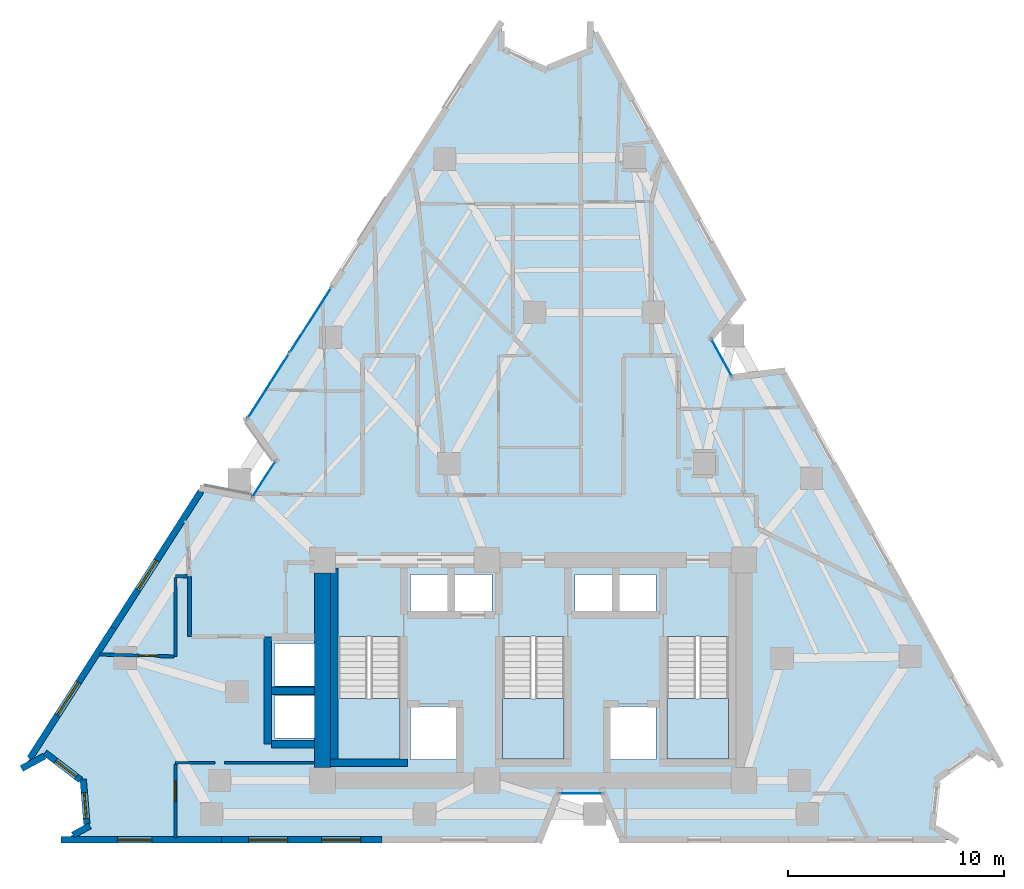
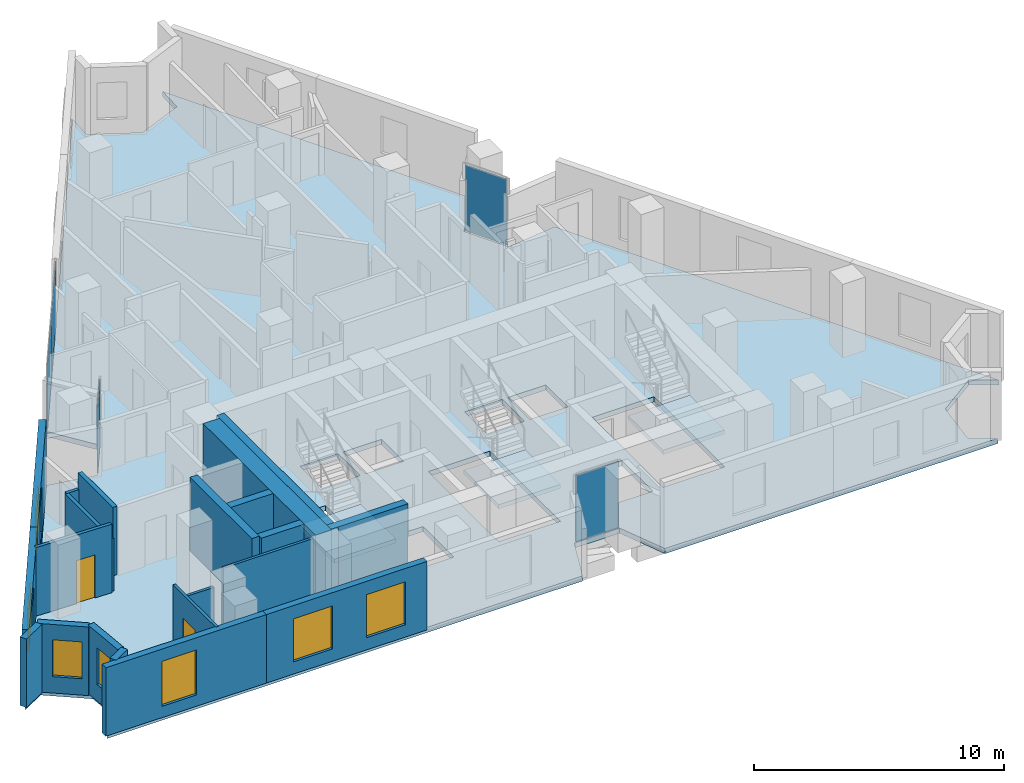
# One storey, part 5 of 11: 21 walls, 7 windows, 5 plates, 4 slabs, 2 doors, 9 openings, 7 elements without a shape of their own.
"""IFC4 building model written with IfcOpenShell, lengths in metres."""

import ifcopenshell
import ifcopenshell.guid

model = None  # the IFC model being written
_history = None  # IfcOwnerHistory: only IFC2X3 demands one
_inside = {}  # id of a spatial element -> (the spatial element, [elements in it])
_under = {}  # id of a project, library or spatial element -> (it, [spatial elements below it])
_declared = {}  # id of a project -> (the project, [libraries it declares])
_typed = {}  # id of a type object -> (the type object, [elements of that type])
_made_of = {}  # id of a material, layer set ... -> (it, [elements and type objects made of it])


def new_model(schema):
    """Start an empty IFC model of exactly this schema.

    Asked for "IFC4X3", IfcOpenShell would pick the latest addendum, in which some entities
    have other attributes; the version numbers below select the first issue.
    IFC2X3 requires an IfcOwnerHistory on every rooted entity: one is made here for all.
    """
    global model, _history
    if schema == "IFC4X3":
        model = ifcopenshell.file(schema_version=(4, 3, 0, 0))
    else:
        model = ifcopenshell.file(schema=schema)
    _inside.clear()
    _under.clear()
    _declared.clear()
    _typed.clear()
    _made_of.clear()
    _history = None
    if model.schema == "IFC2X3":
        org = make("IfcOrganization", Name="unknown")
        user = make(
            "IfcPersonAndOrganization",
            ThePerson=make("IfcPerson", FamilyName="unknown"),
            TheOrganization=org,
        )
        app = make(
            "IfcApplication",
            ApplicationDeveloper=org,
            Version="unknown",
            ApplicationFullName="unknown",
            ApplicationIdentifier="unknown",
        )
        _history = make(
            "IfcOwnerHistory",
            OwningUser=user,
            OwningApplication=app,
            ChangeAction="ADDED",
            CreationDate=0,
        )
    return model


def make(cls, **values):
    """One entity of the class cls with the attributes given. An attribute that is None is left unset."""
    return model.create_entity(
        cls, **{name: value for name, value in values.items() if value is not None}
    )


def rooted(cls, **values):
    """An entity with a GlobalId (a new one), such as an element, a storey or a relation."""
    return make(cls, GlobalId=ifcopenshell.guid.new(), OwnerHistory=_history, **values)


def si_unit(unit_type, name, prefix=None):
    """IfcSIUnit, for example si_unit("LENGTHUNIT", "METRE", prefix="MILLI")."""
    return make("IfcSIUnit", UnitType=unit_type, Prefix=prefix, Name=name)


def assignment(units):
    """IfcUnitAssignment: the units of a project."""
    return None if units is None else make("IfcUnitAssignment", Units=units)


def point(xyz):
    """IfcCartesianPoint."""
    return None if xyz is None else make("IfcCartesianPoint", Coordinates=xyz)


def direction(xyz):
    """IfcDirection."""
    return None if xyz is None else make("IfcDirection", DirectionRatios=xyz)


def frame(location, z_axis=None, x_axis=None):
    """IfcAxis2Placement3D, a coordinate frame: its origin and axes. An axis left out is left unset."""
    return make(
        "IfcAxis2Placement3D",
        Location=point(location),
        Axis=direction(z_axis),
        RefDirection=direction(x_axis),
    )


def frame_2d(location, x_axis=None):
    """IfcAxis2Placement2D, a coordinate frame in the plane: its origin and x axis."""
    return make(
        "IfcAxis2Placement2D", Location=point(location), RefDirection=direction(x_axis)
    )


def origin():
    """The frame at (0, 0, 0) with its axes left unset."""
    return frame((0.0, 0.0, 0.0))


def origin_2d():
    """The frame at (0, 0) in the plane with its x axis left unset."""
    return frame_2d((0.0, 0.0))


def place(relative_to, where):
    """IfcLocalPlacement: puts the frame where relative to a parent placement (None: the world)."""
    return make(
        "IfcLocalPlacement", PlacementRelTo=relative_to, RelativePlacement=where
    )


def context(
    kind, dimensions, precision=None, world=None, true_north=None, identifier=None
):
    """IfcGeometricRepresentationContext, for example the 3D "Model" context."""
    return make(
        "IfcGeometricRepresentationContext",
        ContextIdentifier=identifier,
        ContextType=kind,
        CoordinateSpaceDimension=dimensions,
        Precision=precision,
        WorldCoordinateSystem=world,
        TrueNorth=true_north,
    )


def subcontext(parent, identifier, kind, view, scale=None):
    """IfcGeometricRepresentationSubContext, for example "Body" below "Model"."""
    return make(
        "IfcGeometricRepresentationSubContext",
        ContextIdentifier=identifier,
        ContextType=kind,
        ParentContext=parent,
        TargetScale=scale,
        TargetView=view,
    )


def project(units=None, contexts=None):
    """IfcProject with its units and contexts."""
    return rooted(
        "IfcProject",
        Name="project",
        RepresentationContexts=contexts,
        UnitsInContext=assignment(units),
    )


def spatial(cls, under=None, at=None, **own):
    """A site, building, storey or space (cls), placed at a placement, below another one or the project."""
    s = rooted(cls, ObjectPlacement=at, **own)
    if under is not None:
        _under.setdefault(under.id(), (under, []))[1].append(s)
    return s


def polyline(points):
    """IfcPolyline through the points."""
    return make("IfcPolyline", Points=[point(p) for p in points])


def profile(cls, at=None, kind="AREA", **sizes):
    """A parametric profile (cls). Its sizes go by their IFC names, for example OverallWidth=200.0."""
    return make(cls, ProfileType=kind, Position=at, **sizes)


def rectangle(**sizes):
    """IfcRectangleProfileDef."""
    return profile("IfcRectangleProfileDef", **sizes)


def outline(outer, holes=None, kind="AREA"):
    """IfcArbitraryClosedProfileDef: a profile drawn as a closed curve; with holes, ...WithVoids."""
    if holes is None:
        return make("IfcArbitraryClosedProfileDef", ProfileType=kind, OuterCurve=outer)
    return make(
        "IfcArbitraryProfileDefWithVoids",
        ProfileType=kind,
        OuterCurve=outer,
        InnerCurves=holes,
    )


def extrude(swept, where, along, depth):
    """IfcExtrudedAreaSolid: the profile swept, set in the frame where, extruded along a direction by depth."""
    return make(
        "IfcExtrudedAreaSolid",
        SweptArea=swept,
        Position=where,
        ExtrudedDirection=direction(along),
        Depth=depth,
    )


def shape(context_of_items, identifier, shape_type, items):
    """IfcShapeRepresentation: the items that make up one representation, for example the "Body"."""
    return make(
        "IfcShapeRepresentation",
        ContextOfItems=context_of_items,
        RepresentationIdentifier=identifier,
        RepresentationType=shape_type,
        Items=items,
    )


def material(Name=None, Category=None):
    """IfcMaterial."""
    return make("IfcMaterial", Name=Name, Category=Category)


def layer(
    of_material, thickness, ventilated=None, Name=None, Category=None, Priority=None
):
    """IfcMaterialLayer: one layer of a wall or slab, of a material (None: an air gap)."""
    return make(
        "IfcMaterialLayer",
        Material=of_material,
        LayerThickness=thickness,
        IsVentilated=ventilated,
        Name=Name,
        Category=Category,
        Priority=Priority,
    )


def layer_set(layers, Name=None):
    """IfcMaterialLayerSet."""
    return make("IfcMaterialLayerSet", MaterialLayers=layers, LayerSetName=Name)


def made_of(thing, what):
    """Note that an element or type object is made of a material, layer set ...; save() writes the relation."""
    if what is not None:
        _made_of.setdefault(what.id(), (what, []))[1].append(thing)
    return thing


def type_object(cls, material=None, **own):
    """A type object (cls), such as IfcWallType, which elements share."""
    return made_of(rooted(cls, **own), material)


def element(
    cls,
    number,
    at=None,
    inside=None,
    cuts=None,
    type_object=None,
    material=None,
    context=None,
    identifier="Body",
    shape_type=None,
    held_by="IfcProductDefinitionShape",
    body=None,
    shapes=None,
    **own,
):
    """One element of the class cls, such as IfcWall. Its Tag is "e" and its number.

    at: its placement. inside: the storey or other place that contains it. cuts: it is an
    opening in that element (IfcRelVoidsElement). A single representation is given by context,
    identifier, shape_type and body (its items); several are given by shapes. held_by: the class
    of the entity that holds the representations. save() writes the other relations.
    """
    e = rooted(cls, Tag="e%d" % number, ObjectPlacement=at, **own)
    if body is not None:
        shapes = [shape(context, identifier, shape_type, body)]
    if shapes is not None:
        e.Representation = make(held_by, Representations=shapes)
    if inside is not None:
        _inside.setdefault(inside.id(), (inside, []))[1].append(e)
    if cuts is not None:
        rooted(
            "IfcRelVoidsElement", RelatingBuildingElement=cuts, RelatedOpeningElement=e
        )
    if type_object is not None:
        _typed.setdefault(type_object.id(), (type_object, []))[1].append(e)
    return made_of(e, material)


def fill(opening, filler):
    """IfcRelFillsElement: the door or window that sits in an opening."""
    return rooted(
        "IfcRelFillsElement",
        RelatingOpeningElement=opening,
        RelatedBuildingElement=filler,
    )


def aggregate(whole, parts):
    """IfcRelAggregates: a whole, such as a stair, and the parts it consists of."""
    return rooted("IfcRelAggregates", RelatingObject=whole, RelatedObjects=parts)


def save(model, path):
    """Write the relations noted so far, then the file.

    IfcRelAggregates (storeys below a building ...), IfcRelContainedInSpatialStructure (elements
    in a storey), IfcRelDefinesByType, IfcRelAssociatesMaterial and IfcRelDeclares: one each for
    every whole, place, type object, material and project.
    """
    for whole, parts in _under.values():
        aggregate(whole, parts)
    for where, things in _inside.values():
        rooted(
            "IfcRelContainedInSpatialStructure",
            RelatedElements=things,
            RelatingStructure=where,
        )
    for kind, things in _typed.values():
        rooted("IfcRelDefinesByType", RelatedObjects=things, RelatingType=kind)
    for what, things in _made_of.values():
        rooted("IfcRelAssociatesMaterial", RelatedObjects=things, RelatingMaterial=what)
    for by, libraries in _declared.values():
        rooted("IfcRelDeclares", RelatingContext=by, RelatedDefinitions=libraries)
    model.write(path)


model = new_model("IFC4")

# Units and contexts
model_context = context("Model", 3, precision=1e-05, world=origin(), true_north=direction((0.0, 1.0)))
body_context = subcontext(model_context, "Body", "Model", "MODEL_VIEW")
ifc_project = project(units=[si_unit("LENGTHUNIT", "METRE"), si_unit("AREAUNIT", "SQUARE_METRE"), si_unit("VOLUMEUNIT", "CUBIC_METRE"), si_unit("PLANEANGLEUNIT", "RADIAN"), si_unit("MASSUNIT", "GRAM", prefix="KILO")], contexts=[model_context])

# Site, building, storey
site_placement = place(None, origin())
site = spatial("IfcSite", under=ifc_project, at=site_placement, CompositionType="ELEMENT")
building_placement = place(site_placement, origin())
building = spatial("IfcBuilding", under=site, at=building_placement, Name="Almagre Mirador Tower", CompositionType="ELEMENT")
storey_placement = place(building_placement, frame((0.0, 0.0, 168.0)))
storey = spatial("IfcBuildingStorey", under=building, at=storey_placement, Name="L43", CompositionType="ELEMENT", Elevation=168.0)

# Curtain wall, plate
ifc_material_1 = material(Name="Black anodized aluminium", Category="aluminium")
ifc_layer_1 = layer(ifc_material_1, 0.169921875)
ifc_layer_set_1 = layer_set([ifc_layer_1], Name="Black anodized aluminium")
curtain_wall_type_1 = type_object("IfcCurtainWallType", Name="CW-CRS-SYS", PredefinedType="NOTDEFINED", material=ifc_layer_set_1)
curtain_wall_1_placement = place(storey_placement, origin())
curtain_wall_1 = element("IfcCurtainWall", 1, at=curtain_wall_1_placement, inside=storey, type_object=curtain_wall_type_1, Name="L43 vertical crease curtain wall 01", PredefinedType="NOTDEFINED")
ifc_material_2 = material(Name="Dark solar-control laminated hurricane glass", Category="glass")
ifc_layer_2 = layer(ifc_material_2, 0.028076171875)
ifc_layer_set_2 = layer_set([ifc_layer_2], Name="Dark solar-control laminated hurricane glass")
plate_type_1 = type_object("IfcPlateType", Name="PLT-GLZ-28", PredefinedType="CURTAIN_PANEL", material=ifc_layer_set_2)
plate_1_placement = place(storey_placement, frame((24.843505859375, 18.48291015625, 0.06005859375), z_axis=(0.0, 0.0, 1.0), x_axis=(0.539257350873, 0.842141027103, 0.0)))
plate_1 = element("IfcPlate", 2, at=plate_1_placement, type_object=plate_type_1, Name="CW-4 panel 1.1", PredefinedType="CURTAIN_PANEL", context=body_context, shape_type="SweptSolid", body=[
    extrude(rectangle(XDim=1.969970703125, YDim=0.028076171875, at=origin_2d()), origin(), (0.0, 0.0, 1.0), 3.22998046875),
])
aggregate(curtain_wall_1, [plate_1])

curtain_wall_2_placement = place(storey_placement, origin())
curtain_wall_2 = element("IfcCurtainWall", 3, at=curtain_wall_2_placement, inside=storey, type_object=curtain_wall_type_1, Name="L43 vertical crease curtain wall 03", PredefinedType="NOTDEFINED")
plate_2_placement = place(storey_placement, frame((46.0048828125, 24.094970703125, 0.06005859375), z_axis=(0.0, 0.0, 1.0), x_axis=(0.48434204979, -0.874878722341, 0.0)))
plate_2 = element("IfcPlate", 4, at=plate_2_placement, type_object=plate_type_1, Name="CW-4 panel 1.1", PredefinedType="CURTAIN_PANEL", context=body_context, shape_type="SweptSolid", body=[
    extrude(rectangle(XDim=1.969482421875, YDim=0.028076171875, at=origin_2d()), origin(), (0.0, 0.0, 1.0), 3.22998046875),
])
aggregate(curtain_wall_2, [plate_2])

curtain_wall_3_placement = place(storey_placement, origin())
curtain_wall_3 = element("IfcCurtainWall", 5, at=curtain_wall_3_placement, inside=storey, type_object=curtain_wall_type_1, Name="L43 vertical crease curtain wall 04", PredefinedType="NOTDEFINED")
plate_3_placement = place(storey_placement, frame((39.49609375, 3.949951171875, 0.06005859375), z_axis=(0.0, 0.0, 1.0), x_axis=(-1.0, 0.0, 0.0)))
plate_3 = element("IfcPlate", 6, at=plate_3_placement, type_object=plate_type_1, Name="CW-4 panel 1.1", PredefinedType="CURTAIN_PANEL", context=body_context, shape_type="SweptSolid", body=[
    extrude(rectangle(XDim=1.969970703125, YDim=0.028076171875, at=origin_2d()), origin(), (0.0, 0.0, 1.0), 3.22998046875),
])
aggregate(curtain_wall_3, [plate_3])

# Curtain wall, plates
ifc_material_3 = material(Name="Black anodized aluminium", Category="aluminium")
ifc_layer_3 = layer(ifc_material_3, 0.199951171875)
ifc_layer_set_3 = layer_set([ifc_layer_3], Name="Black anodized aluminium")
curtain_wall_type_2 = type_object("IfcCurtainWallType", Name="CW-RES-H-SYS", PredefinedType="NOTDEFINED", material=ifc_layer_set_3)
curtain_wall_4_placement = place(storey_placement, origin())
curtain_wall_4 = element("IfcCurtainWall", 7, at=curtain_wall_4_placement, inside=storey, type_object=curtain_wall_type_2, Name="L43 curtain wall run 02", PredefinedType="NOTDEFINED")
ifc_material_4 = material(Name="Dark solar-control laminated hurricane glass", Category="glass")
ifc_layer_4 = layer(ifc_material_4, 0.035888671875)
ifc_layer_set_4 = layer_set([ifc_layer_4], Name="Dark solar-control laminated hurricane glass")
plate_type_2 = type_object("IfcPlateType", Name="PLT-GLZ-36", PredefinedType="CURTAIN_PANEL", material=ifc_layer_set_4)
plate_4_placement = place(storey_placement, frame((25.048828125, 22.7890625, 0.06494140625), z_axis=(0.0, 0.0, 1.0), x_axis=(0.539540048324, 0.84195993744, 0.0)))
plate_4 = element("IfcPlate", 8, at=plate_4_placement, type_object=plate_type_2, Name="CW-3 panel 1.1", PredefinedType="CURTAIN_PANEL", context=body_context, shape_type="SweptSolid", body=[
    extrude(rectangle(XDim=3.542724609375, YDim=0.035888671875, at=origin_2d()), origin(), (0.0, 0.0, 1.0), 3.219970703125),
])
plate_5_placement = place(storey_placement, frame((26.9951171875, 25.82666015625, 0.06494140625), z_axis=(0.0, 0.0, 1.0), x_axis=(0.539540048324, 0.84195993744, 0.0)))
plate_5 = element("IfcPlate", 9, at=plate_5_placement, type_object=plate_type_2, Name="CW-3 panel 2.1", PredefinedType="CURTAIN_PANEL", context=body_context, shape_type="SweptSolid", body=[
    extrude(rectangle(XDim=3.542724609375, YDim=0.035888671875, at=origin_2d()), origin(), (0.0, 0.0, 1.0), 3.219970703125),
])
aggregate(curtain_wall_4, [plate_4, plate_5])

# Slab
ifc_material_5 = material(Name="Concrete C45/55", Category="concrete")
ifc_layer_5 = layer(ifc_material_5, 0.25)
ifc_layer_set_5 = layer_set([ifc_layer_5], Name="Concrete C45/55")
slab_type_1 = type_object("IfcSlabType", Name="SLB-FLR-250", PredefinedType="FLOOR", material=ifc_layer_set_5)
slab_1_placement = place(storey_placement, frame((0.0, 0.0, -0.25)))
element("IfcSlab", 10, at=slab_1_placement, inside=storey, type_object=slab_type_1, Name="L43 structural floor slab", PredefinedType="FLOOR", context=body_context, shape_type="SweptSolid", body=[
    extrude(outline(polyline([(13.758056640625, 5.16796875), (14.823974609375, 5.7509765625), (16.49609375, 4.47705078125), (16.666015625, 2.383056640625), (15.60009765625, 1.800048828125), (37.595947265625, 1.800048828125), (38.450927734375, 3.949951171875), (40.541015625, 3.949951171875), (41.39599609375, 1.800048828125), (56.800048828125, 1.800048828125), (55.7529296875, 2.4169921875), (55.992919921875, 4.634033203125), (57.81689453125, 5.9169921875), (58.863037109375, 5.300048828125), (48.805908203125, 23.47412109375), (46.510986328125, 23.180908203125), (45.4990234375, 25.009033203125), (46.966064453125, 26.798095703125), (39.93701171875, 39.5), (39.89794921875, 38.285888671875), (37.820068359375, 37.423095703125), (35.802978515625, 38.41796875), (35.842041015625, 39.632080078125), (24.05810546875, 21.242919921875), (25.406982421875, 19.363037109375), (24.280029296875, 17.60302734375), (22.008056640625, 18.04296875), (13.758056640625, 5.16796875)]), holes=[polyline([(43.47509765625, 5.550048828125), (43.47509765625, 11.196044921875), (46.324951171875, 11.196044921875), (46.324951171875, 5.550048828125), (43.47509765625, 5.550048828125)]), polyline([(40.820068359375, 5.52001953125), (40.820068359375, 7.97998046875), (42.97998046875, 7.97998046875), (42.97998046875, 5.52001953125), (40.820068359375, 5.52001953125)]), polyline([(41.219970703125, 12.320068359375), (41.219970703125, 14.080078125), (42.97998046875, 14.080078125), (42.97998046875, 12.320068359375), (41.219970703125, 12.320068359375)]), polyline([(39.219970703125, 12.320068359375), (39.219970703125, 14.080078125), (40.97998046875, 14.080078125), (40.97998046875, 12.320068359375), (39.219970703125, 12.320068359375)]), polyline([(35.875, 11.196044921875), (38.72509765625, 11.196044921875), (38.72509765625, 5.550048828125), (35.875, 5.550048828125), (35.875, 11.196044921875)]), polyline([(35.3798828125, 12.320068359375), (33.6201171875, 12.320068359375), (33.6201171875, 14.080078125), (35.3798828125, 14.080078125), (35.3798828125, 12.320068359375)]), polyline([(33.780029296875, 5.52001953125), (31.6201171875, 5.52001953125), (31.6201171875, 7.97998046875), (33.780029296875, 7.97998046875), (33.780029296875, 5.52001953125)]), polyline([(31.6201171875, 12.320068359375), (31.6201171875, 14.080078125), (33.3798828125, 14.080078125), (33.3798828125, 12.320068359375), (31.6201171875, 12.320068359375)]), polyline([(28.27490234375, 5.550048828125), (28.27490234375, 11.196044921875), (31.125, 11.196044921875), (31.125, 5.550048828125), (28.27490234375, 5.550048828125)]), polyline([(25.320068359375, 8.919921875), (25.320068359375, 10.8798828125), (27.3798828125, 10.8798828125), (27.3798828125, 8.919921875), (25.320068359375, 8.919921875)]), polyline([(27.3798828125, 6.52001953125), (25.320068359375, 6.52001953125), (25.320068359375, 8.47998046875), (27.3798828125, 8.47998046875), (27.3798828125, 6.52001953125)])]), origin(), (0.0, 0.0, 1.0), 0.25),
])

# Stair, slab
ifc_material_6 = material(Name="Concrete C45/55", Category="concrete")
stair_type = type_object("IfcStairType", Name="STR-DL-3600", PredefinedType="HALF_TURN_STAIR", material=ifc_material_6)
stair_1_placement = place(storey_placement, origin())
stair_1 = element("IfcStair", 11, at=stair_1_placement, inside=storey, type_object=stair_type, Name="L43 Protected exit stair ST-1", PredefinedType="HALF_TURN_STAIR")
ifc_material_7 = material(Name="Concrete C45/55", Category="concrete")
ifc_layer_6 = layer(ifc_material_7, 0.199951171875)
ifc_layer_set_6 = layer_set([ifc_layer_6], Name="Concrete C45/55")
slab_type_2 = type_object("IfcSlabType", Name="SLB-LND-200", PredefinedType="LANDING", material=ifc_layer_set_6)
slab_2_placement = place(storey_placement, frame((0.0, 0.0, 1.60009765625)))
slab_2 = element("IfcSlab", 12, at=slab_2_placement, type_object=slab_type_2, Name="ST-1 landing 1", PredefinedType="LANDING", context=body_context, shape_type="SweptSolid", body=[
    extrude(outline(polyline([(28.27490234375, 8.35009765625), (28.27490234375, 5.550048828125), (31.125, 5.550048828125), (31.125, 8.35009765625), (28.27490234375, 8.35009765625)])), origin(), (0.0, 0.0, 1.0), 0.199951171875),
])
aggregate(stair_1, [slab_2])

stair_2_placement = place(storey_placement, origin())
stair_2 = element("IfcStair", 13, at=stair_2_placement, inside=storey, type_object=stair_type, Name="L43 Protected exit stair ST-2", PredefinedType="HALF_TURN_STAIR")
slab_3_placement = place(storey_placement, frame((0.0, 0.0, 1.60009765625)))
slab_3 = element("IfcSlab", 14, at=slab_3_placement, type_object=slab_type_2, Name="ST-2 landing 1", PredefinedType="LANDING", context=body_context, shape_type="SweptSolid", body=[
    extrude(outline(polyline([(35.875, 8.35009765625), (35.875, 5.550048828125), (38.72509765625, 5.550048828125), (38.72509765625, 8.35009765625), (35.875, 8.35009765625)])), origin(), (0.0, 0.0, 1.0), 0.199951171875),
])
aggregate(stair_2, [slab_3])

stair_3_placement = place(storey_placement, origin())
stair_3 = element("IfcStair", 15, at=stair_3_placement, inside=storey, type_object=stair_type, Name="L43 Protected exit stair ST-3", PredefinedType="HALF_TURN_STAIR")
slab_4_placement = place(storey_placement, frame((0.0, 0.0, 1.60009765625)))
slab_4 = element("IfcSlab", 16, at=slab_4_placement, type_object=slab_type_2, Name="ST-3 landing 1", PredefinedType="LANDING", context=body_context, shape_type="SweptSolid", body=[
    extrude(outline(polyline([(43.47509765625, 8.35009765625), (43.47509765625, 5.550048828125), (46.324951171875, 5.550048828125), (46.324951171875, 8.35009765625), (43.47509765625, 8.35009765625)])), origin(), (0.0, 0.0, 1.0), 0.199951171875),
])
aggregate(stair_3, [slab_4])

# Wall, openings, windows
ifc_material_8 = material(Name="Precast concrete C50/60", Category="concrete")
ifc_layer_7 = layer(ifc_material_8, 0.300048828125)
ifc_layer_set_7 = layer_set([ifc_layer_7], Name="Precast concrete C50/60")
wall_type_1 = type_object("IfcWallType", Name="WAL-EXT-300", PredefinedType="SOLIDWALL", material=ifc_layer_set_7)
wall_1_placement = place(storey_placement, frame((30.310791015625, 1.800048828125, 0.0), z_axis=(0.0, 0.0, 1.0), x_axis=(-1.0, 0.0, 0.0)))
wall_1 = element("IfcWall", 17, at=wall_1_placement, inside=storey, type_object=wall_type_1, Name="L43 expressed almagre precast frame wall 25", PredefinedType="SOLIDWALL", context=body_context, shape_type="SweptSolid", body=[
    extrude(rectangle(XDim=7.425537109375, YDim=0.300048828125, at=frame_2d((3.712890625, 0.0))), origin(), (0.0, 0.0, 1.0), 3.35009765625),
])
opening_1_placement = place(wall_1_placement, frame((4.375, 0.0, 0.60009765625)))
opening_1 = element("IfcOpeningElement", 18, at=opening_1_placement, cuts=wall_1, Name="Opening WN-01", PredefinedType="OPENING", context=body_context, shape_type="SweptSolid", body=[
    extrude(rectangle(XDim=1.800048828125, YDim=2.10009765625, at=frame_2d((0.89990234375, 1.050048828125))), frame((0.0, 0.159902, 0.0), z_axis=(0.0, -1.0, 0.0), x_axis=(1.0, 0.0, 0.0)), (0.0, 0.0, 1.0), 0.320049),
])
opening_2_placement = place(wall_1_placement, frame((1.0, 0.0, 0.60009765625)))
opening_2 = element("IfcOpeningElement", 19, at=opening_2_placement, cuts=wall_1, Name="Opening WN-01", PredefinedType="OPENING", context=body_context, shape_type="SweptSolid", body=[
    extrude(rectangle(XDim=1.800048828125, YDim=2.10009765625, at=frame_2d((0.89990234375, 1.050048828125))), frame((0.0, 0.159902, 0.0), z_axis=(0.0, -1.0, 0.0), x_axis=(1.0, 0.0, 0.0)), (0.0, 0.0, 1.0), 0.320049),
])
ifc_material_9 = material(Name="Dark solar-control laminated hurricane glass", Category="glass")
window_type_1 = type_object("IfcWindowType", Name="WIN-1800X2100", PartitioningType="DOUBLE_PANEL_VERTICAL", PredefinedType="WINDOW", material=ifc_material_9)
window_1_placement = place(opening_1_placement, origin())
window_1 = element("IfcWindow", 20, at=window_1_placement, inside=storey, type_object=window_type_1, Name="L43 recessed hurricane window L43-UA-KT", OverallHeight=2.10009765625, OverallWidth=1.800048828125, PartitioningType="SINGLE_PANEL", PredefinedType="WINDOW", context=body_context, shape_type="SweptSolid", body=[
    extrude(rectangle(XDim=1.800048828125, YDim=2.10009765625, at=frame_2d((0.89990234375, 1.050048828125))), frame((0.0, 0.030029296875, 0.0), z_axis=(0.0, -1.0, 0.0), x_axis=(1.0, 0.0, 0.0)), (0.0, 0.0, 1.0), 0.06005859375),
])
fill(opening_1, window_1)
window_2_placement = place(opening_2_placement, origin())
window_2 = element("IfcWindow", 21, at=window_2_placement, inside=storey, type_object=window_type_1, Name="L43 recessed hurricane window L43-UB-ST", OverallHeight=2.10009765625, OverallWidth=1.800048828125, PartitioningType="SINGLE_PANEL", PredefinedType="WINDOW", context=body_context, shape_type="SweptSolid", body=[
    extrude(rectangle(XDim=1.800048828125, YDim=2.10009765625, at=frame_2d((0.89990234375, 1.050048828125))), frame((0.0, 0.030029296875, 0.0), z_axis=(0.0, -1.0, 0.0), x_axis=(1.0, 0.0, 0.0)), (0.0, 0.0, 1.0), 0.06005859375),
])
fill(opening_2, window_2)

# Wall, opening, window
wall_2_placement = place(storey_placement, frame((22.88525390625, 1.800048828125, 0.0), z_axis=(0.0, 0.0, 1.0), x_axis=(-1.0, 0.0, 0.0)))
wall_2 = element("IfcWall", 22, at=wall_2_placement, inside=storey, type_object=wall_type_1, Name="L43 expressed almagre precast frame wall 26", PredefinedType="SOLIDWALL", context=body_context, shape_type="SweptSolid", body=[
    extrude(rectangle(XDim=7.42529296875, YDim=0.300048828125, at=frame_2d((3.712646484375, 0.0))), origin(), (0.0, 0.0, 1.0), 3.35009765625),
])
opening_3_placement = place(wall_2_placement, frame((3.22509765625, 0.0, 0.550048828125)))
opening_3 = element("IfcOpeningElement", 23, at=opening_3_placement, cuts=wall_2, Name="Opening WN-06", PredefinedType="OPENING", context=body_context, shape_type="SweptSolid", body=[
    extrude(rectangle(XDim=1.60009765625, YDim=2.199951171875, at=frame_2d((0.800048828125, 1.10009765625))), frame((0.0, 0.159902, 0.0), z_axis=(0.0, -1.0, 0.0), x_axis=(1.0, 0.0, 0.0)), (0.0, 0.0, 1.0), 0.320049),
])
ifc_material_10 = material(Name="Dark solar-control laminated hurricane glass", Category="glass")
window_type_2 = type_object("IfcWindowType", Name="WIN-1600X2200", PartitioningType="DOUBLE_PANEL_VERTICAL", PredefinedType="WINDOW", material=ifc_material_10)
window_3_placement = place(opening_3_placement, origin())
window_3 = element("IfcWindow", 24, at=window_3_placement, inside=storey, type_object=window_type_2, Name="L43 recessed hurricane window L43-UA-SL1", OverallHeight=2.199951171875, OverallWidth=1.60009765625, PartitioningType="SINGLE_PANEL", PredefinedType="WINDOW", context=body_context, shape_type="SweptSolid", body=[
    extrude(rectangle(XDim=1.60009765625, YDim=2.199951171875, at=frame_2d((0.800048828125, 1.10009765625))), frame((0.0, 0.030029296875, 0.0), z_axis=(0.0, -1.0, 0.0), x_axis=(1.0, 0.0, 0.0)), (0.0, 0.0, 1.0), 0.06005859375),
])
fill(opening_3, window_3)

# Wall
wall_3_placement = place(storey_placement, frame((16.012451171875, 2.025390625, 0.0), z_axis=(0.0, 0.0, 1.0), x_axis=(0.877262241919, 0.480011415389, 0.0)))
element("IfcWall", 25, at=wall_3_placement, inside=storey, type_object=wall_type_1, Name="L43 expressed almagre precast frame wall 27", PredefinedType="SOLIDWALL", context=body_context, shape_type="SweptSolid", body=[
    extrude(rectangle(XDim=0.885009765625, YDim=0.300048828125, at=frame_2d((0.4423828125, 0.0))), origin(), (0.0, 0.0, 1.0), 3.35009765625),
])

# Wall, opening, window
wall_4_placement = place(storey_placement, frame((16.654296875, 2.527587890625, 0.0), z_axis=(0.0, 0.0, 1.0), x_axis=(-0.080962879454, 0.996717117416, 0.0)))
wall_4 = element("IfcWall", 26, at=wall_4_placement, inside=storey, type_object=wall_type_1, Name="L43 expressed almagre precast frame wall 28", PredefinedType="SOLIDWALL", context=body_context, shape_type="SweptSolid", body=[
    extrude(rectangle(XDim=2.095703125, YDim=0.300048828125, at=frame_2d((1.0478515625, 0.0))), origin(), (0.0, 0.0, 1.0), 3.35009765625),
])
opening_4_placement = place(wall_4_placement, frame((0.264892578125, 0.0, 0.800048828125)))
opening_4 = element("IfcOpeningElement", 27, at=opening_4_placement, cuts=wall_4, Name="Opening WN-04", PredefinedType="OPENING", context=body_context, shape_type="SweptSolid", body=[
    extrude(rectangle(XDim=1.199951171875, YDim=1.800048828125, at=frame_2d((0.60009765625, 0.89990234375))), frame((0.0, 0.159902, 0.0), z_axis=(0.0, -1.0, 0.0), x_axis=(1.0, 0.0, 0.0)), (0.0, 0.0, 1.0), 0.320049),
])
ifc_material_11 = material(Name="Dark solar-control laminated hurricane glass", Category="glass")
window_type_3 = type_object("IfcWindowType", Name="WIN-1200X1800", PartitioningType="SINGLE_PANEL", PredefinedType="WINDOW", material=ifc_material_11)
window_4_placement = place(opening_4_placement, origin())
window_4 = element("IfcWindow", 28, at=window_4_placement, inside=storey, type_object=window_type_3, Name="L43 recessed hurricane window L43-UA-SL1", OverallHeight=1.800048828125, OverallWidth=1.199951171875, PartitioningType="SINGLE_PANEL", PredefinedType="WINDOW", context=body_context, shape_type="SweptSolid", body=[
    extrude(rectangle(XDim=1.199951171875, YDim=1.800048828125, at=frame_2d((0.60009765625, 0.89990234375))), frame((0.0, 0.030029296875, 0.0), z_axis=(0.0, -1.0, 0.0), x_axis=(1.0, 0.0, 0.0)), (0.0, 0.0, 1.0), 0.06005859375),
])
fill(opening_4, window_4)

wall_5_placement = place(storey_placement, frame((16.376708984375, 4.56787109375, 0.0), z_axis=(0.0, 0.0, 1.0), x_axis=(-0.795383499791, 0.606106499107, 0.0)))
wall_5 = element("IfcWall", 29, at=wall_5_placement, inside=storey, type_object=wall_type_1, Name="L43 expressed almagre precast frame wall 29", PredefinedType="SOLIDWALL", context=body_context, shape_type="SweptSolid", body=[
    extrude(rectangle(XDim=2.092041015625, YDim=0.300048828125, at=frame_2d((1.0458984375, 0.0))), origin(), (0.0, 0.0, 1.0), 3.35009765625),
])
opening_5_placement = place(wall_5_placement, frame((0.260009765625, 0.0, 0.800048828125)))
opening_5 = element("IfcOpeningElement", 30, at=opening_5_placement, cuts=wall_5, Name="Opening WN-04", PredefinedType="OPENING", context=body_context, shape_type="SweptSolid", body=[
    extrude(rectangle(XDim=1.199951171875, YDim=1.800048828125, at=frame_2d((0.60009765625, 0.89990234375))), frame((0.0, 0.159902, 0.0), z_axis=(0.0, -1.0, 0.0), x_axis=(1.0, 0.0, 0.0)), (0.0, 0.0, 1.0), 0.320049),
])
window_5_placement = place(opening_5_placement, origin())
window_5 = element("IfcWindow", 31, at=window_5_placement, inside=storey, type_object=window_type_3, Name="L43 recessed hurricane window L43-UA-SL1", OverallHeight=1.800048828125, OverallWidth=1.199951171875, PartitioningType="SINGLE_PANEL", PredefinedType="WINDOW", context=body_context, shape_type="SweptSolid", body=[
    extrude(rectangle(XDim=1.199951171875, YDim=1.800048828125, at=frame_2d((0.60009765625, 0.89990234375))), frame((0.0, 0.030029296875, 0.0), z_axis=(0.0, -1.0, 0.0), x_axis=(1.0, 0.0, 0.0)), (0.0, 0.0, 1.0), 0.06005859375),
])
fill(opening_5, window_5)

# Wall
wall_6_placement = place(storey_placement, frame((14.69677734375, 5.681396484375, 0.0), z_axis=(0.0, 0.0, 1.0), x_axis=(-0.877355211776, -0.47984146587, 0.0)))
element("IfcWall", 32, at=wall_6_placement, inside=storey, type_object=wall_type_1, Name="L43 expressed almagre precast frame wall 30", PredefinedType="SOLIDWALL", context=body_context, shape_type="SweptSolid", body=[
    extrude(rectangle(XDim=1.2099609375, YDim=0.300048828125, at=frame_2d((0.60498046875, 0.0))), origin(), (0.0, 0.0, 1.0), 3.35009765625),
])

# Wall, opening, window
wall_7_placement = place(storey_placement, frame((14.01708984375, 5.572021484375, 0.0), z_axis=(0.0, 0.0, 1.0), x_axis=(0.539505119732, 0.841982319163, 0.0)))
wall_7 = element("IfcWall", 33, at=wall_7_placement, inside=storey, type_object=wall_type_1, Name="L43 expressed almagre precast frame wall 31", PredefinedType="SOLIDWALL", context=body_context, shape_type="SweptSolid", body=[
    extrude(rectangle(XDim=7.165771484375, YDim=0.300048828125, at=frame_2d((3.5830078125, 0.0))), origin(), (0.0, 0.0, 1.0), 3.35009765625),
])
opening_6_placement = place(wall_7_placement, frame((2.3798828125, 0.0, 0.60009765625)))
opening_6 = element("IfcOpeningElement", 34, at=opening_6_placement, cuts=wall_7, Name="Opening WN-01", PredefinedType="OPENING", context=body_context, shape_type="SweptSolid", body=[
    extrude(rectangle(XDim=1.800048828125, YDim=2.10009765625, at=frame_2d((0.89990234375, 1.050048828125))), frame((0.0, 0.159902, 0.0), z_axis=(0.0, -1.0, 0.0), x_axis=(1.0, 0.0, 0.0)), (0.0, 0.0, 1.0), 0.320049),
])
window_6_placement = place(opening_6_placement, origin())
window_6 = element("IfcWindow", 35, at=window_6_placement, inside=storey, type_object=window_type_1, Name="L43 recessed hurricane window L43-UA-SL1", OverallHeight=2.10009765625, OverallWidth=1.800048828125, PartitioningType="SINGLE_PANEL", PredefinedType="WINDOW", context=body_context, shape_type="SweptSolid", body=[
    extrude(rectangle(XDim=1.800048828125, YDim=2.10009765625, at=frame_2d((0.89990234375, 1.050048828125))), frame((0.0, 0.030029296875, 0.0), z_axis=(0.0, -1.0, 0.0), x_axis=(1.0, 0.0, 0.0)), (0.0, 0.0, 1.0), 0.06005859375),
])
fill(opening_6, window_6)

wall_8_placement = place(storey_placement, frame((17.883056640625, 11.60546875, 0.0), z_axis=(0.0, 0.0, 1.0), x_axis=(0.539493609211, 0.841989694486, 0.0)))
wall_8 = element("IfcWall", 36, at=wall_8_placement, inside=storey, type_object=wall_type_1, Name="L43 expressed almagre precast frame wall 32", PredefinedType="SOLIDWALL", context=body_context, shape_type="SweptSolid", body=[
    extrude(rectangle(XDim=7.5107421875, YDim=0.300048828125, at=frame_2d((3.75537109375, 0.0))), origin(), (0.0, 0.0, 1.0), 3.35009765625),
])
opening_7_placement = place(wall_8_placement, frame((2.10009765625, 0.0, 0.550048828125)))
opening_7 = element("IfcOpeningElement", 37, at=opening_7_placement, cuts=wall_8, Name="Opening WN-06", PredefinedType="OPENING", context=body_context, shape_type="SweptSolid", body=[
    extrude(rectangle(XDim=1.60009765625, YDim=2.199951171875, at=frame_2d((0.800048828125, 1.10009765625))), frame((0.0, 0.159902, 0.0), z_axis=(0.0, -1.0, 0.0), x_axis=(1.0, 0.0, 0.0)), (0.0, 0.0, 1.0), 0.320049),
])
window_7_placement = place(opening_7_placement, origin())
window_7 = element("IfcWindow", 38, at=window_7_placement, inside=storey, type_object=window_type_2, Name="L43 recessed hurricane window L43-UA-HB", OverallHeight=2.199951171875, OverallWidth=1.60009765625, PartitioningType="SINGLE_PANEL", PredefinedType="WINDOW", context=body_context, shape_type="SweptSolid", body=[
    extrude(rectangle(XDim=1.60009765625, YDim=2.199951171875, at=frame_2d((0.800048828125, 1.10009765625))), frame((0.0, 0.030029296875, 0.0), z_axis=(0.0, -1.0, 0.0), x_axis=(1.0, 0.0, 0.0)), (0.0, 0.0, 1.0), 0.06005859375),
])
fill(opening_7, window_7)

# Walls
ifc_material_12 = material(Name="Gypsum acoustic stud partition", Category="other")
ifc_layer_8 = layer(ifc_material_12, 0.125)
ifc_layer_set_8 = layer_set([ifc_layer_8], Name="Gypsum acoustic stud partition")
wall_type_2 = type_object("IfcWallType", Name="WAL-PRT-125-UTL", PredefinedType="PARTITIONING", material=ifc_layer_set_8)
wall_9_placement = place(storey_placement, frame((20.75, 5.3701171875, 0.0), z_axis=(0.0, 0.0, 1.0), x_axis=(1.0, 0.0, 0.0)))
element("IfcWall", 39, at=wall_9_placement, inside=storey, type_object=wall_type_2, Name="L43 interior partition 026", PredefinedType="PARTITIONING", context=body_context, shape_type="SweptSolid", body=[
    extrude(rectangle(XDim=1.830078125, YDim=0.125, at=frame_2d((0.9150390625, 0.0))), origin(), (0.0, 0.0, 1.0), 2.570068359375),
])
wall_10_placement = place(storey_placement, frame((23.02001953125, 5.3701171875, 0.0), z_axis=(0.0, 0.0, 1.0), x_axis=(1.0, 0.0, 0.0)))
element("IfcWall", 40, at=wall_10_placement, inside=storey, type_object=wall_type_2, Name="L43 interior partition 027", PredefinedType="PARTITIONING", context=body_context, shape_type="SweptSolid", body=[
    extrude(rectangle(XDim=4.155029296875, YDim=0.125, at=frame_2d((2.07763671875, 0.0))), origin(), (0.0, 0.0, 1.0), 3.35009765625),
])

# Wall, opening, door
wall_11_placement = place(storey_placement, frame((20.75, 5.322509765625, 0.0), z_axis=(0.0, 0.0, 1.0), x_axis=(0.0, -1.0, 0.0)))
wall_11 = element("IfcWall", 41, at=wall_11_placement, inside=storey, type_object=wall_type_2, Name="L43 interior partition 030", PredefinedType="PARTITIONING", context=body_context, shape_type="SweptSolid", body=[
    extrude(rectangle(XDim=3.422607421875, YDim=0.125, at=frame_2d((1.71142578125, 0.0))), origin(), (0.0, 0.0, 1.0), 3.35009765625),
])
opening_8_placement = place(wall_11_placement, frame((0.79443359375, 0.0, 0.0)))
opening_8 = element("IfcOpeningElement", 42, at=opening_8_placement, cuts=wall_11, Name="Opening UD-01", PredefinedType="OPENING", context=body_context, shape_type="SweptSolid", body=[
    extrude(rectangle(XDim=0.949951171875, YDim=2.199951171875, at=frame_2d((0.47509765625, 1.10009765625))), frame((0.0, 0.0725, 0.0), z_axis=(0.0, -1.0, 0.0), x_axis=(1.0, 0.0, 0.0)), (0.0, 0.0, 1.0), 0.145),
])
ifc_material_13 = material(Name="Solid American walnut timber", Category="wood")
door_type_1 = type_object("IfcDoorType", Name="DOR-UNR-950X2200", OperationType="NOTDEFINED", PredefinedType="DOOR", material=ifc_material_13)
door_1_placement = place(opening_8_placement, origin())
door_1 = element("IfcDoor", 43, at=door_1_placement, inside=storey, type_object=door_type_1, Name="DR-1378 L43 interior door L43-UA-KT to L43-UA-SL1", OperationType="SINGLE_SWING_RIGHT", OverallHeight=2.199951171875, OverallWidth=0.949951171875, PredefinedType="DOOR", context=body_context, shape_type="SweptSolid", body=[
    extrude(rectangle(XDim=0.949951171875, YDim=2.199951171875, at=frame_2d((0.47509765625, 1.10009765625))), frame((0.0, 0.02490234375, 0.0), z_axis=(0.0, -1.0, 0.0), x_axis=(1.0, 0.0, 0.0)), (0.0, 0.0, 1.0), 0.050048828125),
])
fill(opening_8, door_1)

# Walls
ifc_material_14 = material(Name="Gypsum acoustic stud partition", Category="other")
ifc_layer_9 = layer(ifc_material_14, 0.14990234375)
ifc_layer_set_9 = layer_set([ifc_layer_9], Name="Gypsum acoustic stud partition")
wall_type_3 = type_object("IfcWallType", Name="WAL-PRT-150-STD", PredefinedType="PARTITIONING", material=ifc_layer_set_9)
wall_12_placement = place(storey_placement, frame((21.31494140625, 13.989990234375, 0.0), z_axis=(0.0, 0.0, 1.0), x_axis=(-1.0, 0.0, 0.0)))
element("IfcWall", 44, at=wall_12_placement, inside=storey, type_object=wall_type_3, Name="L43 interior partition 024", PredefinedType="PARTITIONING", context=body_context, shape_type="SweptSolid", body=[
    extrude(rectangle(XDim=0.56494140625, YDim=0.14990234375, at=frame_2d((0.282470703125, 0.0))), origin(), (0.0, 0.0, 1.0), 2.570068359375),
])
wall_13_placement = place(storey_placement, frame((20.75, 13.929931640625, 0.0), z_axis=(0.0, 0.0, 1.0), x_axis=(0.0, -1.0, 0.0)))
element("IfcWall", 45, at=wall_13_placement, inside=storey, type_object=wall_type_3, Name="L43 interior partition 025", PredefinedType="PARTITIONING", context=body_context, shape_type="SweptSolid", body=[
    extrude(rectangle(XDim=3.64990234375, YDim=0.14990234375, at=frame_2d((1.824951171875, 0.0))), origin(), (0.0, 0.0, 1.0), 2.570068359375),
])

# Wall, opening, door
wall_14_placement = place(storey_placement, frame((17.236083984375, 10.3779296875, 0.0), z_axis=(0.0, 0.0, 1.0), x_axis=(0.999608459632, -0.027980840462, 0.0)))
wall_14 = element("IfcWall", 46, at=wall_14_placement, inside=storey, type_object=wall_type_3, Name="L43 interior partition 029", PredefinedType="PARTITIONING", context=body_context, shape_type="SweptSolid", body=[
    extrude(rectangle(XDim=3.455322265625, YDim=0.14990234375, at=frame_2d((1.7275390625, 0.0))), origin(), (0.0, 0.0, 1.0), 3.35009765625),
])
opening_9_placement = place(wall_14_placement, frame((1.83984375, 0.0, 0.0)))
opening_9 = element("IfcOpeningElement", 47, at=opening_9_placement, cuts=wall_14, Name="Opening UD-04", PredefinedType="OPENING", context=body_context, shape_type="SweptSolid", body=[
    extrude(rectangle(XDim=0.85009765625, YDim=2.10009765625, at=frame_2d((0.425048828125, 1.050048828125))), frame((0.0, 0.084951, 0.0), z_axis=(0.0, -1.0, 0.0), x_axis=(1.0, 0.0, 0.0)), (0.0, 0.0, 1.0), 0.169902),
])
ifc_material_15 = material(Name="Moisture-resistant oak timber", Category="wood")
door_type_2 = type_object("IfcDoorType", Name="DOR-UNR-850X2100", OperationType="NOTDEFINED", PredefinedType="DOOR", material=ifc_material_15)
door_2_placement = place(opening_9_placement, origin())
door_2 = element("IfcDoor", 48, at=door_2_placement, inside=storey, type_object=door_type_2, Name="DR-1379 L43 interior door L43-UA-HB to L43-UA-SL1", OperationType="SINGLE_SWING_LEFT", OverallHeight=2.10009765625, OverallWidth=0.85009765625, PredefinedType="DOOR", context=body_context, shape_type="SweptSolid", body=[
    extrude(rectangle(XDim=0.85009765625, YDim=2.10009765625, at=frame_2d((0.425048828125, 1.050048828125))), frame((0.0, 0.02490234375, 0.0), z_axis=(0.0, -1.0, 0.0), x_axis=(1.0, 0.0, 0.0)), (0.0, 0.0, 1.0), 0.050048828125),
])
fill(opening_9, door_2)

# Walls
ifc_material_16 = material(Name="Gypsum acoustic stud partition", Category="other")
ifc_layer_10 = layer(ifc_material_16, 0.199951171875)
ifc_layer_set_10 = layer_set([ifc_layer_10], Name="Gypsum acoustic stud partition")
wall_type_4 = type_object("IfcWallType", Name="WAL-PRT-200-EI60", PredefinedType="PARTITIONING", material=ifc_layer_set_10)
wall_15_placement = place(storey_placement, frame((21.39990234375, 13.989990234375, 0.0), z_axis=(0.0, 0.0, 1.0), x_axis=(0.0, -1.0, 0.0)))
element("IfcWall", 49, at=wall_15_placement, inside=storey, type_object=wall_type_4, Name="L43 interior partition 001", PredefinedType="PARTITIONING", context=body_context, shape_type="SweptSolid", body=[
    extrude(rectangle(XDim=2.7900390625, YDim=0.199951171875, at=frame_2d((1.39501953125, 0.0))), origin(), (0.0, 0.0, 1.0), 3.35009765625),
])
ifc_material_17 = material(Name="Concrete C60/75", Category="concrete")
ifc_layer_11 = layer(ifc_material_17, 0.35009765625)
ifc_layer_set_11 = layer_set([ifc_layer_11], Name="Concrete C60/75")
wall_type_5 = type_object("IfcWallType", Name="WAL-SHF-350", PredefinedType="SOLIDWALL", material=ifc_layer_set_11)
wall_16_placement = place(storey_placement, frame((28.10009765625, 5.199951171875, 0.0), z_axis=(0.0, 0.0, 1.0), x_axis=(0.0, 1.0, 0.0)))
element("IfcWall", 50, at=wall_16_placement, inside=storey, type_object=wall_type_5, Name="L43 shaft wall ST1-W", PredefinedType="SOLIDWALL", context=body_context, shape_type="SweptSolid", body=[
    extrude(rectangle(XDim=9.175048828125, YDim=0.35009765625, at=frame_2d((4.58740234375, 0.0))), origin(), (0.0, 0.0, 1.0), 3.60009765625),
])
wall_17_placement = place(storey_placement, frame((27.925048828125, 5.375, 0.0), z_axis=(0.0, 0.0, 1.0), x_axis=(1.0, 0.0, 0.0)))
element("IfcWall", 51, at=wall_17_placement, inside=storey, type_object=wall_type_5, Name="L43 shaft wall ST1-S", PredefinedType="SOLIDWALL", context=body_context, shape_type="SweptSolid", body=[
    extrude(rectangle(XDim=3.550048828125, YDim=0.35009765625, at=frame_2d((1.77490234375, 0.0))), origin(), (0.0, 0.0, 1.0), 3.60009765625),
])
wall_18_placement = place(storey_placement, frame((25.02490234375, 6.22509765625, 0.0), z_axis=(0.0, 0.0, 1.0), x_axis=(0.0, 1.0, 0.0)))
element("IfcWall", 52, at=wall_18_placement, inside=storey, type_object=wall_type_5, Name="L43 shaft wall OL-W", PredefinedType="SOLIDWALL", context=body_context, shape_type="SweptSolid", body=[
    extrude(rectangle(XDim=4.949951171875, YDim=0.35009765625, at=frame_2d((2.47509765625, 0.0))), origin(), (0.0, 0.0, 1.0), 3.60009765625),
])
for number, where, z_axis, x_axis, name in (
    (53, (25.199951171875, 6.22509765625, 0.0), (0.0, 0.0, 1.0), (1.0, 0.0, 0.0), "L43 shaft wall OL-S"),
    (54, (25.199951171875, 8.699951171875, 0.0), (0.0, 0.0, 1.0), (1.0, 0.0, 0.0), "L43 shaft wall OL-M"),
):
    element("IfcWall", number, at=place(storey_placement, frame(where, z_axis=z_axis, x_axis=x_axis)), inside=storey, type_object=wall_type_5, Name=name, PredefinedType="SOLIDWALL", context=body_context, shape_type="SweptSolid", body=[
        extrude(rectangle(XDim=1.97509765625, YDim=0.35009765625, at=frame_2d((0.987548828125, 0.0))), origin(), (0.0, 0.0, 1.0), 3.60009765625),
    ])
ifc_material_18 = material(Name="Concrete C60/75", Category="concrete")
ifc_layer_12 = layer(ifc_material_18, 0.75)
ifc_layer_set_12 = layer_set([ifc_layer_12], Name="Concrete C60/75")
wall_type_6 = type_object("IfcWallType", Name="WAL-SHR-750", PredefinedType="SHEAR", material=ifc_layer_set_12)
wall_19_placement = place(storey_placement, frame((27.550048828125, 5.14990234375, 0.0), z_axis=(0.0, 0.0, 1.0), x_axis=(0.0, 1.0, 0.0)))
element("IfcWall", 55, at=wall_19_placement, inside=storey, type_object=wall_type_6, Name="L43 core shear wall W1", PredefinedType="SHEAR", context=body_context, shape_type="SweptSolid", body=[
    extrude(rectangle(XDim=9.0, YDim=0.75, at=frame_2d((4.5, 0.0))), origin(), (0.0, 0.0, 1.0), 3.60009765625),
])

save(model, "model.ifc")
